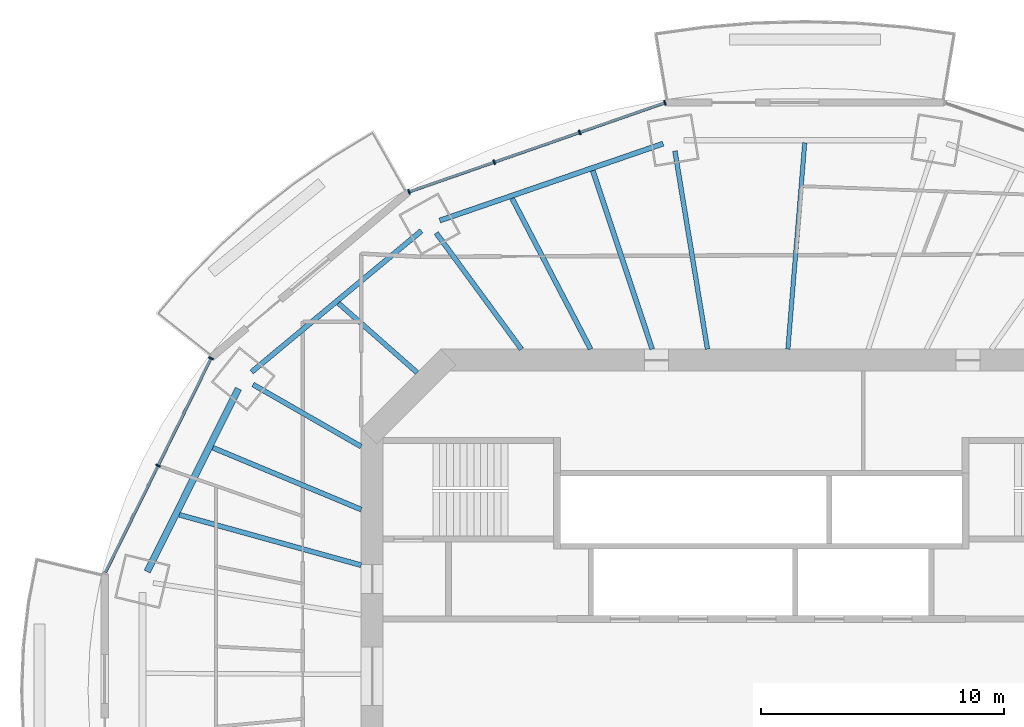
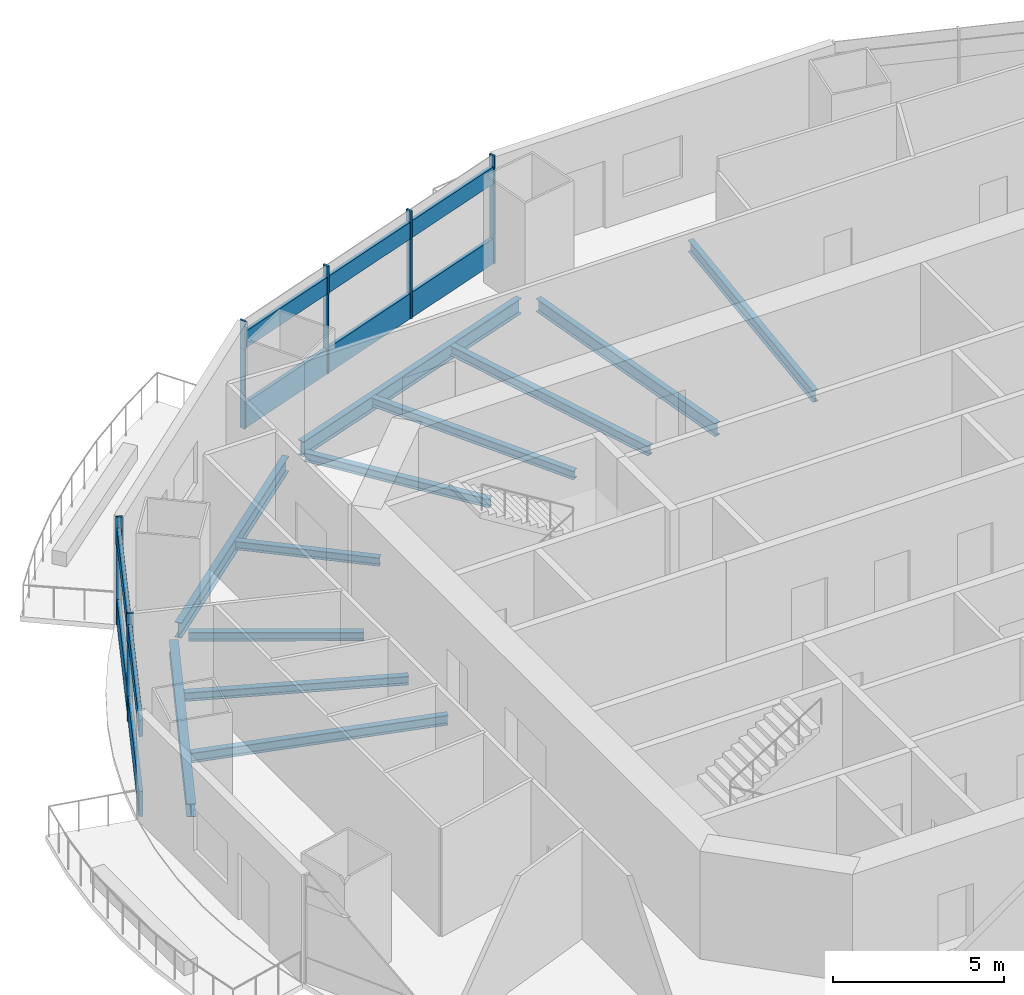
# One storey, part 6 of 16: 16 members, 12 beams, 4 elements without a shape of their own.
"""IFC4 building model written with IfcOpenShell, lengths in metres."""

from ifc_helpers import new_model, si_unit, direction, frame, origin, origin_2d, place, context, subcontext, project, spatial, rectangle, i_section, extrude, material, material_profile, profile_set, type_object, element, aggregate, save


model = new_model("IFC4")

# Units and contexts
model_context = context("Model", 3, precision=1e-05, world=origin(), true_north=direction((0.0, 1.0)))
body_context = subcontext(model_context, "Body", "Model", "MODEL_VIEW")
ifc_project = project(units=[si_unit("LENGTHUNIT", "METRE"), si_unit("AREAUNIT", "SQUARE_METRE"), si_unit("VOLUMEUNIT", "CUBIC_METRE"), si_unit("PLANEANGLEUNIT", "RADIAN"), si_unit("MASSUNIT", "GRAM", prefix="KILO")], contexts=[model_context])

# Site, building, storey
site_placement = place(None, origin())
site = spatial("IfcSite", under=ifc_project, at=site_placement, CompositionType="ELEMENT")
building_placement = place(site_placement, origin())
building = spatial("IfcBuilding", under=site, at=building_placement, Name="Marenthal Gate Tower", CompositionType="ELEMENT")
storey_placement = place(building_placement, frame((0.0, 0.0, 268.949951171875)))
storey = spatial("IfcBuildingStorey", under=building, at=storey_placement, Name="L60", CompositionType="ELEMENT", Elevation=268.949951171875)

# Curtain wall, members
ifc_material_1 = material(Name="Aluminium and glass", Category="aluminium")
curtain_wall_type_1 = type_object("IfcCurtainWallType", Name="Curtain wall typical mid", PredefinedType="NOTDEFINED", material=ifc_material_1)
curtain_wall_1_placement = place(storey_placement, origin())
curtain_wall_1 = element("IfcCurtainWall", 1, at=curtain_wall_1_placement, inside=storey, type_object=curtain_wall_type_1, Name="Curtain wall L60 bay 5", PredefinedType="NOTDEFINED")
ifc_material_2 = material(Name="Aluminium", Category="aluminium")
ifc_material_profile_1 = material_profile(ifc_material_2, rectangle(XDim=0.179931640625, YDim=0.06005859375, at=origin_2d()), Name="60x180 aluminium mullion")
ifc_profile_set_1 = profile_set([ifc_material_profile_1], Name="Aluminium")
member_type_1 = type_object("IfcMemberType", Name="Mullion 60x180 typical mid", PredefinedType="MULLION", material=ifc_profile_set_1)
member_1_placement = place(storey_placement, frame((-3.956298828125, 23.584228515625, 0.0), z_axis=(0.0, 0.0, 1.0), x_axis=(0.328669787971, -0.944444900709, 0.0)))
member_1 = element("IfcMember", 2, at=member_1_placement, type_object=member_type_1, Name="Mullion L60 bay 5.1", PredefinedType="MULLION", context=body_context, shape_type="SweptSolid", body=[
    extrude(rectangle(XDim=0.179931640625, YDim=0.06005859375, at=origin_2d()), origin(), (0.0, 0.0, 1.0), 2.85009765625),
])
member_2_placement = place(storey_placement, frame((-7.465576171875, 22.363037109375, 0.0), z_axis=(0.0, 0.0, 1.0), x_axis=(0.328669787971, -0.944444900709, 0.0)))
member_2 = element("IfcMember", 3, at=member_2_placement, type_object=member_type_1, Name="Mullion L60 bay 5.2", PredefinedType="MULLION", context=body_context, shape_type="SweptSolid", body=[
    extrude(rectangle(XDim=0.179931640625, YDim=0.06005859375, at=origin_2d()), origin(), (0.0, 0.0, 1.0), 2.85009765625),
])
member_3_placement = place(storey_placement, frame((-10.974609375, 21.141845703125, 0.0), z_axis=(0.0, 0.0, 1.0), x_axis=(0.328669787971, -0.944444900709, 0.0)))
member_3 = element("IfcMember", 4, at=member_3_placement, type_object=member_type_1, Name="Mullion L60 bay 5.3", PredefinedType="MULLION", context=body_context, shape_type="SweptSolid", body=[
    extrude(rectangle(XDim=0.179931640625, YDim=0.06005859375, at=origin_2d()), origin(), (0.0, 0.0, 1.0), 2.85009765625),
])
member_4_placement = place(storey_placement, frame((-14.48388671875, 19.920654296875, 0.0), z_axis=(0.0, 0.0, 1.0), x_axis=(0.328669787971, -0.944444900709, 0.0)))
member_4 = element("IfcMember", 5, at=member_4_placement, type_object=member_type_1, Name="Mullion L60 bay 5.4", PredefinedType="MULLION", context=body_context, shape_type="SweptSolid", body=[
    extrude(rectangle(XDim=0.179931640625, YDim=0.06005859375, at=origin_2d()), origin(), (0.0, 0.0, 1.0), 2.85009765625),
])

curtain_wall_2_placement = place(storey_placement, origin())
curtain_wall_2 = element("IfcCurtainWall", 6, at=curtain_wall_2_placement, inside=storey, type_object=curtain_wall_type_1, Name="Curtain wall L60 bay 7", PredefinedType="NOTDEFINED")
member_5_placement = place(storey_placement, frame((-22.6259765625, 13.077880859375, 0.0), z_axis=(0.0, 0.0, 1.0), x_axis=(0.896920632002, -0.442191564697, 0.0)))
member_5 = element("IfcMember", 7, at=member_5_placement, type_object=member_type_1, Name="Mullion L60 bay 7.1", PredefinedType="MULLION", context=body_context, shape_type="SweptSolid", body=[
    extrude(rectangle(XDim=0.179931640625, YDim=0.06005859375, at=origin_2d()), origin(), (0.0, 0.0, 1.0), 2.85009765625),
])
member_6_placement = place(storey_placement, frame((-24.8046875, 8.65869140625, 0.0), z_axis=(0.0, 0.0, 1.0), x_axis=(0.896920632002, -0.442191564697, 0.0)))
member_6 = element("IfcMember", 8, at=member_6_placement, type_object=member_type_1, Name="Mullion L60 bay 7.2", PredefinedType="MULLION", context=body_context, shape_type="SweptSolid", body=[
    extrude(rectangle(XDim=0.179931640625, YDim=0.06005859375, at=origin_2d()), origin(), (0.0, 0.0, 1.0), 2.85009765625),
])

ifc_material_3 = material(Name="Aluminium and glass", Category="aluminium")
curtain_wall_type_2 = type_object("IfcCurtainWallType", Name="Curtain wall crown clad", PredefinedType="NOTDEFINED", material=ifc_material_3)
curtain_wall_3_placement = place(storey_placement, origin())
curtain_wall_3 = element("IfcCurtainWall", 9, at=curtain_wall_3_placement, inside=storey, type_object=curtain_wall_type_2, Name="Curtain wall L60 bay 5 head band", PredefinedType="NOTDEFINED")
ifc_material_4 = material(Name="Aluminium", Category="aluminium")
ifc_material_profile_2 = material_profile(ifc_material_4, rectangle(XDim=0.199951171875, YDim=0.06005859375, at=origin_2d()), Name="60x200 aluminium mullion")
ifc_profile_set_2 = profile_set([ifc_material_profile_2], Name="Aluminium")
member_type_2 = type_object("IfcMemberType", Name="Mullion 60x200 crown clad", PredefinedType="MULLION", material=ifc_profile_set_2)
member_7_placement = place(storey_placement, frame((-3.956298828125, 23.584228515625, 2.85009765625), z_axis=(0.0, 0.0, 1.0), x_axis=(0.328669787971, -0.944444900709, 0.0)))
member_7 = element("IfcMember", 10, at=member_7_placement, type_object=member_type_2, Name="Mullion L60 bay 5.1", PredefinedType="MULLION", context=body_context, shape_type="SweptSolid", body=[
    extrude(rectangle(XDim=0.199951171875, YDim=0.06005859375, at=origin_2d()), origin(), (0.0, 0.0, 1.0), 1.0),
])
member_8_placement = place(storey_placement, frame((-7.465576171875, 22.363037109375, 2.85009765625), z_axis=(0.0, 0.0, 1.0), x_axis=(0.328669787971, -0.944444900709, 0.0)))
member_8 = element("IfcMember", 11, at=member_8_placement, type_object=member_type_2, Name="Mullion L60 bay 5.2", PredefinedType="MULLION", context=body_context, shape_type="SweptSolid", body=[
    extrude(rectangle(XDim=0.199951171875, YDim=0.06005859375, at=origin_2d()), origin(), (0.0, 0.0, 1.0), 1.0),
])
member_9_placement = place(storey_placement, frame((-10.974609375, 21.141845703125, 2.85009765625), z_axis=(0.0, 0.0, 1.0), x_axis=(0.328669787971, -0.944444900709, 0.0)))
member_9 = element("IfcMember", 12, at=member_9_placement, type_object=member_type_2, Name="Mullion L60 bay 5.3", PredefinedType="MULLION", context=body_context, shape_type="SweptSolid", body=[
    extrude(rectangle(XDim=0.199951171875, YDim=0.06005859375, at=origin_2d()), origin(), (0.0, 0.0, 1.0), 1.0),
])
member_10_placement = place(storey_placement, frame((-14.48388671875, 19.920654296875, 2.85009765625), z_axis=(0.0, 0.0, 1.0), x_axis=(0.328669787971, -0.944444900709, 0.0)))
member_10 = element("IfcMember", 13, at=member_10_placement, type_object=member_type_2, Name="Mullion L60 bay 5.4", PredefinedType="MULLION", context=body_context, shape_type="SweptSolid", body=[
    extrude(rectangle(XDim=0.199951171875, YDim=0.06005859375, at=origin_2d()), origin(), (0.0, 0.0, 1.0), 1.0),
])

curtain_wall_4_placement = place(storey_placement, origin())
curtain_wall_4 = element("IfcCurtainWall", 14, at=curtain_wall_4_placement, inside=storey, type_object=curtain_wall_type_2, Name="Curtain wall L60 bay 7 head band", PredefinedType="NOTDEFINED")
member_11_placement = place(storey_placement, frame((-22.6259765625, 13.077880859375, 2.85009765625), z_axis=(0.0, 0.0, 1.0), x_axis=(0.896920632002, -0.442191564697, 0.0)))
member_11 = element("IfcMember", 15, at=member_11_placement, type_object=member_type_2, Name="Mullion L60 bay 7.1", PredefinedType="MULLION", context=body_context, shape_type="SweptSolid", body=[
    extrude(rectangle(XDim=0.199951171875, YDim=0.06005859375, at=origin_2d()), origin(), (0.0, 0.0, 1.0), 1.0),
])
member_12_placement = place(storey_placement, frame((-24.8046875, 8.65869140625, 2.85009765625), z_axis=(0.0, 0.0, 1.0), x_axis=(0.896920632002, -0.442191564697, 0.0)))
member_12 = element("IfcMember", 16, at=member_12_placement, type_object=member_type_2, Name="Mullion L60 bay 7.2", PredefinedType="MULLION", context=body_context, shape_type="SweptSolid", body=[
    extrude(rectangle(XDim=0.199951171875, YDim=0.06005859375, at=origin_2d()), origin(), (0.0, 0.0, 1.0), 1.0),
])

# Member
ifc_material_5 = material(Name="Aluminium", Category="aluminium")
ifc_material_profile_3 = material_profile(ifc_material_5, rectangle(XDim=0.1201171875, YDim=0.60009765625, at=origin_2d()), Name="120x600 aluminium transom")
ifc_profile_set_3 = profile_set([ifc_material_profile_3], Name="Aluminium")
member_type_3 = type_object("IfcMemberType", Name="Transom 120x600 crown clad", PredefinedType="USERDEFINED", material=ifc_profile_set_3)
member_13_placement = place(storey_placement, frame((-3.984619140625, 23.57421875, 3.150146484375), z_axis=(-0.944445984358, -0.328666674047, 0.0), x_axis=(0.328666674047, -0.944445984358, 0.0)))
member_13 = element("IfcMember", 17, at=member_13_placement, type_object=member_type_3, Name="Transom L60 bay 5", ObjectType="TRANSOM", PredefinedType="USERDEFINED", context=body_context, shape_type="SweptSolid", body=[
    extrude(rectangle(XDim=0.1201171875, YDim=0.60009765625, at=origin_2d()), origin(), (0.0, 0.0, 1.0), 11.086669921875),
])

aggregate(curtain_wall_3, [member_7, member_8, member_9, member_10, member_13])

member_14_placement = place(storey_placement, frame((-22.639404296875, 13.051025390625, 3.150146484375), z_axis=(-0.442181240155, -0.896925722039, 0.0), x_axis=(0.896925722039, -0.442181240155, 0.0)))
member_14 = element("IfcMember", 18, at=member_14_placement, type_object=member_type_3, Name="Transom L60 bay 7", ObjectType="TRANSOM", PredefinedType="USERDEFINED", context=body_context, shape_type="SweptSolid", body=[
    extrude(rectangle(XDim=0.1201171875, YDim=0.60009765625, at=origin_2d()), origin(), (0.0, 0.0, 1.0), 9.794189453125),
])

aggregate(curtain_wall_4, [member_11, member_12, member_14])

ifc_material_6 = material(Name="Aluminium", Category="aluminium")
ifc_material_profile_4 = material_profile(ifc_material_6, rectangle(XDim=0.1201171875, YDim=0.89990234375, at=origin_2d()), Name="120x900 aluminium transom")
ifc_profile_set_4 = profile_set([ifc_material_profile_4], Name="Aluminium")
member_type_4 = type_object("IfcMemberType", Name="Transom 120x900 typical mid", PredefinedType="USERDEFINED", material=ifc_profile_set_4)
member_15_placement = place(storey_placement, frame((-3.984619140625, 23.57421875, 0.449951171875), z_axis=(-0.944445984358, -0.328666674047, 0.0), x_axis=(0.328666674047, -0.944445984358, 0.0)))
member_15 = element("IfcMember", 19, at=member_15_placement, type_object=member_type_4, Name="Transom L60 bay 5", ObjectType="TRANSOM", PredefinedType="USERDEFINED", context=body_context, shape_type="SweptSolid", body=[
    extrude(rectangle(XDim=0.1201171875, YDim=0.89990234375, at=origin_2d()), origin(), (0.0, 0.0, 1.0), 11.086669921875),
])

aggregate(curtain_wall_1, [member_1, member_2, member_3, member_4, member_15])

member_16_placement = place(storey_placement, frame((-22.639404296875, 13.051025390625, 0.449951171875), z_axis=(-0.442181240155, -0.896925722039, 0.0), x_axis=(0.896925722039, -0.442181240155, 0.0)))
member_16 = element("IfcMember", 20, at=member_16_placement, type_object=member_type_4, Name="Transom L60 bay 7", ObjectType="TRANSOM", PredefinedType="USERDEFINED", context=body_context, shape_type="SweptSolid", body=[
    extrude(rectangle(XDim=0.1201171875, YDim=0.89990234375, at=origin_2d()), origin(), (0.0, 0.0, 1.0), 9.794189453125),
])

aggregate(curtain_wall_2, [member_5, member_6, member_16])

# Beams
ifc_material_7 = material(Name="Steel S355", Category="steel")
ifc_material_profile_5 = material_profile(ifc_material_7, i_section(OverallWidth=0.202880859375, OverallDepth=0.302001953125, WebThickness=0.007568359375, FlangeThickness=0.01318359375, FilletRadius=0.0126953125, at=origin_2d()), Name="W310X60")
ifc_profile_set_5 = profile_set([ifc_material_profile_5], Name="Steel S355")
beam_type_1 = type_object("IfcBeamType", Name="W310X60 beam", PredefinedType="BEAM", material=ifc_profile_set_5)
beam_1_placement = place(storey_placement, frame((-17.38623046875, 15.341064453125, -0.3310546875), z_axis=(0.74982960037, -0.661630992631, 0.0), x_axis=(0.661630992631, 0.74982960037, 0.0)))
element("IfcBeam", 21, at=beam_1_placement, inside=storey, type_object=beam_type_1, Name="BM-L60-25", PredefinedType="BEAM", context=body_context, shape_type="SweptSolid", body=[
    extrude(i_section(OverallWidth=0.202880859375, OverallDepth=0.302001953125, WebThickness=0.007568359375, FlangeThickness=0.01318359375, FilletRadius=0.0126953125, at=origin_2d()), origin(), (0.0, 0.0, 1.0), 4.3154296875),
])
ifc_material_8 = material(Name="Steel S355", Category="steel")
ifc_material_profile_6 = material_profile(ifc_material_8, i_section(OverallWidth=0.205078125, OverallDepth=0.31005859375, WebThickness=0.009521484375, FlangeThickness=0.016357421875, FilletRadius=0.0126953125, at=origin_2d()), Name="W310X74")
ifc_profile_set_6 = profile_set([ifc_material_profile_6], Name="Steel S355")
beam_type_2 = type_object("IfcBeamType", Name="W310X74 beam", PredefinedType="BEAM", material=ifc_profile_set_6)
beam_2_placement = place(storey_placement, frame((-13.36376953125, 18.22802734375, -0.3349609375), z_axis=(0.591254682891, -0.80648490374, 0.0), x_axis=(0.80648490374, 0.591254682891, 0.0)))
element("IfcBeam", 22, at=beam_2_placement, inside=storey, type_object=beam_type_2, Name="BM-L60-06", PredefinedType="BEAM", context=body_context, shape_type="SweptSolid", body=[
    extrude(i_section(OverallWidth=0.205078125, OverallDepth=0.31005859375, WebThickness=0.009521484375, FlangeThickness=0.016357421875, FilletRadius=0.0126953125, at=origin_2d()), origin(), (0.0, 0.0, 1.0), 5.924560546875),
])
beam_3_placement = place(storey_placement, frame((-20.898681640625, 11.9970703125, -0.3349609375), z_axis=(0.867269079929, -0.497839675999, 0.0), x_axis=(0.497839675999, 0.867269079929, 0.0)))
element("IfcBeam", 23, at=beam_3_placement, inside=storey, type_object=beam_type_2, Name="BM-L60-07", PredefinedType="BEAM", context=body_context, shape_type="SweptSolid", body=[
    extrude(i_section(OverallWidth=0.205078125, OverallDepth=0.31005859375, WebThickness=0.009521484375, FlangeThickness=0.016357421875, FilletRadius=0.0126953125, at=origin_2d()), origin(), (0.0, 0.0, 1.0), 5.129638671875),
])
beam_4_placement = place(storey_placement, frame((-10.24658203125, 19.651123046875, -0.3349609375), z_axis=(0.462341699515, -0.886701839904, 0.0), x_axis=(0.886701839904, 0.462341699515, 0.0)))
element("IfcBeam", 24, at=beam_4_placement, inside=storey, type_object=beam_type_2, Name="BM-L60-24", PredefinedType="BEAM", context=body_context, shape_type="SweptSolid", body=[
    extrude(i_section(OverallWidth=0.205078125, OverallDepth=0.31005859375, WebThickness=0.009521484375, FlangeThickness=0.016357421875, FilletRadius=0.0126953125, at=origin_2d()), origin(), (0.0, 0.0, 1.0), 6.993408203125),
])
beam_5_placement = place(storey_placement, frame((-22.552734375, 9.39892578125, -0.3349609375), z_axis=(0.923056164133, -0.384665202295, 0.0), x_axis=(0.384665202295, 0.923056164133, 0.0)))
element("IfcBeam", 25, at=beam_5_placement, inside=storey, type_object=beam_type_2, Name="BM-L60-26", PredefinedType="BEAM", context=body_context, shape_type="SweptSolid", body=[
    extrude(i_section(OverallWidth=0.205078125, OverallDepth=0.31005859375, WebThickness=0.009521484375, FlangeThickness=0.016357421875, FilletRadius=0.0126953125, at=origin_2d()), origin(), (0.0, 0.0, 1.0), 6.611572265625),
])
ifc_material_9 = material(Name="Steel S355", Category="steel")
ifc_material_profile_7 = material_profile(ifc_material_9, i_section(OverallWidth=0.205078125, OverallDepth=0.35302734375, WebThickness=0.009521484375, FlangeThickness=0.016845703125, FilletRadius=0.014892578125, at=origin_2d()), Name="W360X79")
ifc_profile_set_7 = profile_set([ifc_material_profile_7], Name="Steel S355")
beam_type_3 = type_object("IfcBeamType", Name="W360X79 beam", PredefinedType="BEAM", material=ifc_profile_set_7)
beam_6_placement = place(storey_placement, frame((-6.924560546875, 20.794677734375, -0.3564453125), z_axis=(0.315943913251, -0.94877786846, 0.0), x_axis=(0.94877786846, 0.315943913251, 0.0)))
element("IfcBeam", 26, at=beam_6_placement, inside=storey, type_object=beam_type_3, Name="BM-L60-23", PredefinedType="BEAM", context=body_context, shape_type="SweptSolid", body=[
    extrude(i_section(OverallWidth=0.205078125, OverallDepth=0.35302734375, WebThickness=0.009521484375, FlangeThickness=0.016845703125, FilletRadius=0.014892578125, at=origin_2d()), origin(), (0.0, 0.0, 1.0), 7.7412109375),
])
beam_7_placement = place(storey_placement, frame((-23.927490234375, 6.640380859375, -0.3564453125), z_axis=(0.963580984716, -0.267416689633, 0.0), x_axis=(0.267416689633, 0.963580984716, 0.0)))
element("IfcBeam", 27, at=beam_7_placement, inside=storey, type_object=beam_type_3, Name="BM-L60-27", PredefinedType="BEAM", context=body_context, shape_type="SweptSolid", body=[
    extrude(i_section(OverallWidth=0.205078125, OverallDepth=0.35302734375, WebThickness=0.009521484375, FlangeThickness=0.016845703125, FilletRadius=0.014892578125, at=origin_2d()), origin(), (0.0, 0.0, 1.0), 7.76025390625),
])
ifc_material_10 = material(Name="Steel S355", Category="steel")
ifc_material_profile_8 = material_profile(ifc_material_10, i_section(OverallWidth=0.180908203125, OverallDepth=0.4169921875, WebThickness=0.010986328125, FlangeThickness=0.018310546875, FilletRadius=0.01025390625, at=origin_2d()), Name="W410X85")
ifc_profile_set_8 = profile_set([ifc_material_profile_8], Name="Steel S355")
beam_type_4 = type_object("IfcBeamType", Name="W410X85 beam", PredefinedType="BEAM", material=ifc_profile_set_8)
beam_8_placement = place(storey_placement, frame((1.791259765625, 21.9384765625, -0.388427734375), z_axis=(-0.081382349502, -0.996682955202, 0.0), x_axis=(0.996682955202, -0.081382349502, 0.0)))
element("IfcBeam", 28, at=beam_8_placement, inside=storey, type_object=beam_type_4, Name="BM-L60-22", PredefinedType="BEAM", context=body_context, shape_type="SweptSolid", body=[
    extrude(i_section(OverallWidth=0.180908203125, OverallDepth=0.4169921875, WebThickness=0.010986328125, FlangeThickness=0.018310546875, FilletRadius=0.01025390625, at=origin_2d()), origin(), (0.0, 0.0, 1.0), 8.516845703125),
])
ifc_material_11 = material(Name="Steel S355", Category="steel")
ifc_material_profile_9 = material_profile(ifc_material_11, i_section(OverallWidth=0.279052734375, OverallDepth=0.4619140625, WebThickness=0.0107421875, FlangeThickness=0.017333984375, FilletRadius=0.010009765625, at=origin_2d()), Name="W460X113")
ifc_profile_set_9 = profile_set([ifc_material_profile_9], Name="Steel S355")
beam_type_5 = type_object("IfcBeamType", Name="W460X113 beam", PredefinedType="BEAM", material=ifc_profile_set_9)
beam_9_placement = place(storey_placement, frame((-21.498291015625, 11.8271484375, -0.410888671875), z_axis=(-0.446062695792, -0.895001715877, 0.0), x_axis=(0.895001715877, -0.446062695792, 0.0)))
element("IfcBeam", 29, at=beam_9_placement, inside=storey, type_object=beam_type_5, Name="BM-L60-47", PredefinedType="BEAM", context=body_context, shape_type="SweptSolid", body=[
    extrude(i_section(OverallWidth=0.279052734375, OverallDepth=0.4619140625, WebThickness=0.0107421875, FlangeThickness=0.017333984375, FilletRadius=0.010009765625, at=origin_2d()), origin(), (0.0, 0.0, 1.0), 8.403076171875),
])
ifc_material_12 = material(Name="Steel S355", Category="steel")
ifc_material_profile_10 = material_profile(ifc_material_12, i_section(OverallWidth=0.193115234375, OverallDepth=0.467041015625, WebThickness=0.011474609375, FlangeThickness=0.01904296875, FilletRadius=0.010009765625, at=origin_2d()), Name="W460X97")
ifc_profile_set_10 = profile_set([ifc_material_profile_10], Name="Steel S355")
beam_type_6 = type_object("IfcBeamType", Name="W460X97 beam", PredefinedType="BEAM", material=ifc_profile_set_10)
beam_10_placement = place(storey_placement, frame((-3.546875, 21.600341796875, -0.413330078125), z_axis=(0.162040220851, -0.986784154122, 0.0), x_axis=(0.986784154122, 0.162040220851, 0.0)))
element("IfcBeam", 30, at=beam_10_placement, inside=storey, type_object=beam_type_6, Name="BM-L60-05", PredefinedType="BEAM", context=body_context, shape_type="SweptSolid", body=[
    extrude(i_section(OverallWidth=0.193115234375, OverallDepth=0.467041015625, WebThickness=0.011474609375, FlangeThickness=0.01904296875, FilletRadius=0.010009765625, at=origin_2d()), origin(), (0.0, 0.0, 1.0), 8.259521484375),
])
ifc_material_13 = material(Name="Steel S355", Category="steel")
ifc_material_profile_11 = material_profile(ifc_material_13, i_section(OverallWidth=0.2119140625, OverallDepth=0.5439453125, WebThickness=0.01318359375, FlangeThickness=0.021240234375, FilletRadius=0.0126953125, at=origin_2d()), Name="W530X123")
ifc_profile_set_11 = profile_set([ifc_material_profile_11], Name="Steel S355")
beam_type_7 = type_object("IfcBeamType", Name="W530X123 beam", PredefinedType="BEAM", material=ifc_profile_set_11)
beam_11_placement = place(storey_placement, frame((-4.0341796875, 21.90185546875, -0.451904296875), z_axis=(-0.945538727214, -0.325509624034, 0.0), x_axis=(0.325509624034, -0.945538727214, 0.0)))
element("IfcBeam", 31, at=beam_11_placement, inside=storey, type_object=beam_type_7, Name="BM-L60-45", PredefinedType="BEAM", context=body_context, shape_type="SweptSolid", body=[
    extrude(i_section(OverallWidth=0.2119140625, OverallDepth=0.5439453125, WebThickness=0.01318359375, FlangeThickness=0.021240234375, FilletRadius=0.0126953125, at=origin_2d()), origin(), (0.0, 0.0, 1.0), 9.713623046875),
])
beam_12_placement = place(storey_placement, frame((-13.9736328125, 18.31494140625, -0.451904296875), z_axis=(-0.769082206984, -0.639149872018, 0.0), x_axis=(0.639149872018, -0.769082206984, 0.0)))
element("IfcBeam", 32, at=beam_12_placement, inside=storey, type_object=beam_type_7, Name="BM-L60-46", PredefinedType="BEAM", context=body_context, shape_type="SweptSolid", body=[
    extrude(i_section(OverallWidth=0.2119140625, OverallDepth=0.5439453125, WebThickness=0.01318359375, FlangeThickness=0.021240234375, FilletRadius=0.0126953125, at=origin_2d()), origin(), (0.0, 0.0, 1.0), 9.0810546875),
])

save(model, "model.ifc")
